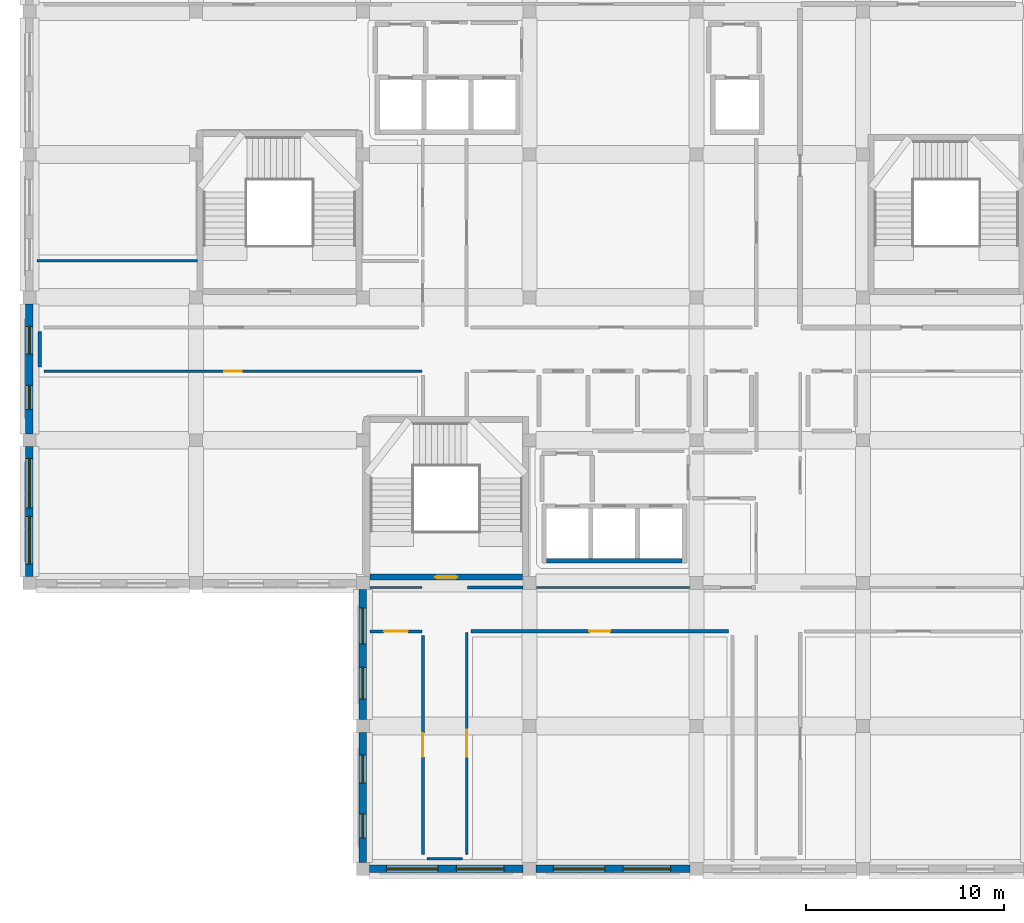
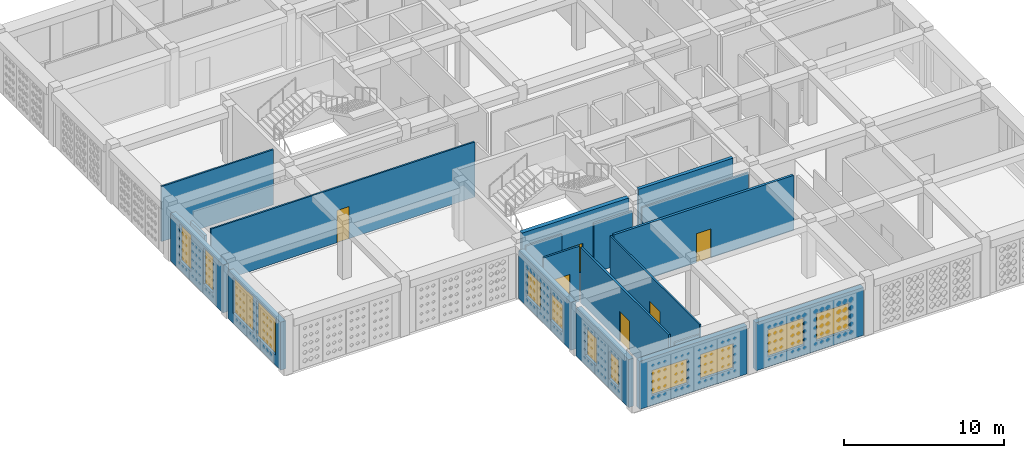
# One storey, part 4 of 47: 19 walls, 12 windows, 6 doors, 18 openings.
"""IFC4 building model written with IfcOpenShell, lengths in metres."""

from ifc_helpers import new_model, si_unit, derived_unit, direction, frame, frame_2d, origin, place, context, subcontext, project, spatial, rectangle, extrude, material, layer, layer_set, type_object, element, fill, save


model = new_model("IFC4")

# Units and contexts
model_context = context("Model", 3, precision=1e-05, world=origin(), true_north=direction((0.0, 1.0)))
body_context = subcontext(model_context, "Body", "Model", "MODEL_VIEW")
ifc_project = project(units=[si_unit("LENGTHUNIT", "METRE"), si_unit("AREAUNIT", "SQUARE_METRE"), si_unit("VOLUMEUNIT", "CUBIC_METRE"), si_unit("PLANEANGLEUNIT", "RADIAN"), si_unit("MASSUNIT", "GRAM", prefix="KILO"), derived_unit("THERMALTRANSMITTANCEUNIT", [(si_unit("POWERUNIT", "WATT"), 1), (si_unit("LENGTHUNIT", "METRE"), -2), (si_unit("THERMODYNAMICTEMPERATUREUNIT", "KELVIN"), -1)])], contexts=[model_context])

# Site, building, storey
site_placement = place(None, origin())
site = spatial("IfcSite", under=ifc_project, at=site_placement, CompositionType="ELEMENT")
building_placement = place(site_placement, origin())
building = spatial("IfcBuilding", under=site, at=building_placement, Name="Veybourne Emporium", CompositionType="ELEMENT")
storey_placement = place(building_placement, frame((0.0, 0.0, 23.39990234375)))
storey = spatial("IfcBuildingStorey", under=building, at=storey_placement, Name="L05", CompositionType="ELEMENT", Elevation=23.39990234375)

# Wall, openings, windows
ifc_material_1 = material(Name="Portland Limestone Ashlar", Category="masonry")
ifc_layer_1 = layer(ifc_material_1, 0.3798828125)
ifc_layer_set_1 = layer_set([ifc_layer_1], Name="Portland Limestone Ashlar")
wall_type_1 = type_object("IfcWallType", Name="ExtWall_EW-03", PredefinedType="SOLIDWALL", material=ifc_layer_set_1)
wall_1_placement = place(storey_placement, frame((0.0, 14.72509765625, 0.0), z_axis=(0.0, 0.0, 1.0), x_axis=(0.0, 1.0, 0.0)))
wall_1 = element("IfcWall", 1, at=wall_1_placement, inside=storey, type_object=wall_type_1, Name="L05 Portland stone external wall 002", PredefinedType="SOLIDWALL", context=body_context, shape_type="SweptSolid", body=[
    extrude(rectangle(XDim=6.5498046875, YDim=0.3798828125, at=frame_2d((3.27490234375, 0.0))), origin(), (0.0, 0.0, 1.0), 3.66015625),
])
opening_1_placement = place(wall_1_placement, frame((0.634033203125, 0.0, 0.75)))
opening_1 = element("IfcOpeningElement", 2, at=opening_1_placement, cuts=wall_1, Name="Opening W-47", PredefinedType="OPENING", context=body_context, shape_type="SweptSolid", body=[
    extrude(rectangle(XDim=2.39990234375, YDim=2.760009765625, at=frame_2d((1.199951171875, 1.3798828125))), frame((0.0, 0.2099609375, 0.0), z_axis=(0.0, -1.0, 0.0), x_axis=(1.0, 0.0, 0.0)), (0.0, 0.0, 1.0), 0.419921875),
])
opening_2_placement = place(wall_1_placement, frame((3.470947265625, 0.0, 0.75)))
opening_2 = element("IfcOpeningElement", 3, at=opening_2_placement, cuts=wall_1, Name="Opening W-48", PredefinedType="OPENING", context=body_context, shape_type="SweptSolid", body=[
    extrude(rectangle(XDim=2.489990234375, YDim=2.760009765625, at=frame_2d((1.2451171875, 1.3798828125))), frame((0.0, 0.2099609375, 0.0), z_axis=(0.0, -1.0, 0.0), x_axis=(1.0, 0.0, 0.0)), (0.0, 0.0, 1.0), 0.419921875),
])
ifc_material_2 = material(Name="Low-E Triple Glazing", Category="glass")
window_type_1 = type_object("IfcWindowType", Name="Win_W-47", PartitioningType="TRIPLE_PANEL_VERTICAL", PredefinedType="WINDOW", material=ifc_material_2)
window_1_placement = place(opening_1_placement, origin())
window_1 = element("IfcWindow", 4, at=window_1_placement, inside=storey, type_object=window_type_1, Name="L05 tripartite bronze casement window W-47 (2.1)", OverallHeight=2.760009765625, OverallWidth=2.39990234375, PartitioningType="TRIPLE_PANEL_VERTICAL", PredefinedType="WINDOW", context=body_context, shape_type="SweptSolid", body=[
    extrude(rectangle(XDim=2.39990234375, YDim=2.760009765625, at=frame_2d((1.199951171875, 1.3798828125))), frame((0.0, 0.030029296875, 0.0), z_axis=(0.0, -1.0, 0.0), x_axis=(1.0, 0.0, 0.0)), (0.0, 0.0, 1.0), 0.06005859375),
])
fill(opening_1, window_1)
window_type_2 = type_object("IfcWindowType", Name="Win_W-48", PartitioningType="TRIPLE_PANEL_VERTICAL", PredefinedType="WINDOW", material=ifc_material_2)
window_2_placement = place(opening_2_placement, origin())
window_2 = element("IfcWindow", 5, at=window_2_placement, inside=storey, type_object=window_type_2, Name="L05 tripartite bronze casement window W-48 (2.2)", OverallHeight=2.760009765625, OverallWidth=2.489990234375, PartitioningType="TRIPLE_PANEL_VERTICAL", PredefinedType="WINDOW", context=body_context, shape_type="SweptSolid", body=[
    extrude(rectangle(XDim=2.489990234375, YDim=2.760009765625, at=frame_2d((1.2451171875, 1.3798828125))), frame((0.0, 0.030029296875, 0.0), z_axis=(0.0, -1.0, 0.0), x_axis=(1.0, 0.0, 0.0)), (0.0, 0.0, 1.0), 0.06005859375),
])
fill(opening_2, window_2)

wall_2_placement = place(storey_placement, frame((0.0, 21.925048828125, 0.0), z_axis=(0.0, 0.0, 1.0), x_axis=(0.0, 1.0, 0.0)))
wall_2 = element("IfcWall", 6, at=wall_2_placement, inside=storey, type_object=wall_type_1, Name="L05 Portland stone external wall 003", PredefinedType="SOLIDWALL", context=body_context, shape_type="SweptSolid", body=[
    extrude(rectangle(XDim=6.550048828125, YDim=0.3798828125, at=frame_2d((3.27490234375, 0.0))), origin(), (0.0, 0.0, 1.0), 3.66015625),
])
opening_3_placement = place(wall_2_placement, frame((1.23388671875, 0.0, 0.75)))
opening_3 = element("IfcOpeningElement", 7, at=opening_3_placement, cuts=wall_2, Name="Opening W-49", PredefinedType="OPENING", context=body_context, shape_type="SweptSolid", body=[
    extrude(rectangle(XDim=1.199951171875, YDim=2.760009765625, at=frame_2d((0.60009765625, 1.3798828125))), frame((0.0, 0.2099609375, 0.0), z_axis=(0.0, -1.0, 0.0), x_axis=(1.0, 0.0, 0.0)), (0.0, 0.0, 1.0), 0.419921875),
])
opening_4_placement = place(wall_2_placement, frame((4.01611328125, 0.0, 0.75)))
opening_4 = element("IfcOpeningElement", 8, at=opening_4_placement, cuts=wall_2, Name="Opening W-50", PredefinedType="OPENING", context=body_context, shape_type="SweptSolid", body=[
    extrude(rectangle(XDim=1.39990234375, YDim=2.760009765625, at=frame_2d((0.699951171875, 1.3798828125))), frame((0.0, 0.2099609375, 0.0), z_axis=(0.0, -1.0, 0.0), x_axis=(1.0, 0.0, 0.0)), (0.0, 0.0, 1.0), 0.419921875),
])
window_type_3 = type_object("IfcWindowType", Name="Win_W-49", PartitioningType="SINGLE_PANEL", PredefinedType="WINDOW", material=ifc_material_2)
window_3_placement = place(opening_3_placement, origin())
window_3 = element("IfcWindow", 9, at=window_3_placement, inside=storey, type_object=window_type_3, Name="L05 tripartite bronze casement window W-49 (3.1)", OverallHeight=2.760009765625, OverallWidth=1.199951171875, PartitioningType="SINGLE_PANEL", PredefinedType="WINDOW", context=body_context, shape_type="SweptSolid", body=[
    extrude(rectangle(XDim=1.199951171875, YDim=2.760009765625, at=frame_2d((0.60009765625, 1.3798828125))), frame((0.0, 0.030029296875, 0.0), z_axis=(0.0, -1.0, 0.0), x_axis=(1.0, 0.0, 0.0)), (0.0, 0.0, 1.0), 0.06005859375),
])
fill(opening_3, window_3)
window_type_4 = type_object("IfcWindowType", Name="Win_W-50", PartitioningType="DOUBLE_PANEL_VERTICAL", PredefinedType="WINDOW", material=ifc_material_2)
window_4_placement = place(opening_4_placement, origin())
window_4 = element("IfcWindow", 10, at=window_4_placement, inside=storey, type_object=window_type_4, Name="L05 tripartite bronze casement window W-50 (3.2)", OverallHeight=2.760009765625, OverallWidth=1.39990234375, PartitioningType="DOUBLE_PANEL_VERTICAL", PredefinedType="WINDOW", context=body_context, shape_type="SweptSolid", body=[
    extrude(rectangle(XDim=1.39990234375, YDim=2.760009765625, at=frame_2d((0.699951171875, 1.3798828125))), frame((0.0, 0.030029296875, 0.0), z_axis=(0.0, -1.0, 0.0), x_axis=(1.0, 0.0, 0.0)), (0.0, 0.0, 1.0), 0.06005859375),
])
fill(opening_4, window_4)

wall_3_placement = place(storey_placement, frame((24.875, 0.0, 0.0), z_axis=(0.0, 0.0, 1.0), x_axis=(-1.0, 0.0, 0.0)))
wall_3 = element("IfcWall", 11, at=wall_3_placement, inside=storey, type_object=wall_type_1, Name="L05 Portland stone external wall 010", PredefinedType="SOLIDWALL", context=body_context, shape_type="SweptSolid", body=[
    extrude(rectangle(XDim=7.75, YDim=0.3798828125, at=frame_2d((3.875, 0.0))), origin(), (0.0, 0.0, 1.0), 3.66015625),
])
opening_5_placement = place(wall_3_placement, frame((0.969970703125, 0.0, 0.75)))
opening_5 = element("IfcOpeningElement", 12, at=opening_5_placement, cuts=wall_3, Name="Opening W-07", PredefinedType="OPENING", context=body_context, shape_type="SweptSolid", body=[
    extrude(rectangle(XDim=2.39990234375, YDim=1.89990234375, at=frame_2d((1.199951171875, 0.949951171875))), frame((0.0, 0.2099609375, 0.0), z_axis=(0.0, -1.0, 0.0), x_axis=(1.0, 0.0, 0.0)), (0.0, 0.0, 1.0), 0.419921875),
])
opening_6_placement = place(wall_3_placement, frame((4.280029296875, 0.0, 0.75)))
opening_6 = element("IfcOpeningElement", 13, at=opening_6_placement, cuts=wall_3, Name="Opening W-08", PredefinedType="OPENING", context=body_context, shape_type="SweptSolid", body=[
    extrude(rectangle(XDim=2.60009765625, YDim=1.89990234375, at=frame_2d((1.300048828125, 0.949951171875))), frame((0.0, 0.2099609375, 0.0), z_axis=(0.0, -1.0, 0.0), x_axis=(1.0, 0.0, 0.0)), (0.0, 0.0, 1.0), 0.419921875),
])
window_type_5 = type_object("IfcWindowType", Name="Win_W-07", PartitioningType="TRIPLE_PANEL_VERTICAL", PredefinedType="WINDOW", material=ifc_material_2)
window_5_placement = place(opening_5_placement, origin())
window_5 = element("IfcWindow", 14, at=window_5_placement, inside=storey, type_object=window_type_5, Name="L05 tripartite bronze casement window W-07 (10.1)", OverallHeight=1.89990234375, OverallWidth=2.39990234375, PartitioningType="TRIPLE_PANEL_VERTICAL", PredefinedType="WINDOW", context=body_context, shape_type="SweptSolid", body=[
    extrude(rectangle(XDim=2.39990234375, YDim=1.89990234375, at=frame_2d((1.199951171875, 0.949951171875))), frame((0.0, 0.030029296875, 0.0), z_axis=(0.0, -1.0, 0.0), x_axis=(1.0, 0.0, 0.0)), (0.0, 0.0, 1.0), 0.06005859375),
])
fill(opening_5, window_5)
window_type_6 = type_object("IfcWindowType", Name="Win_W-08", PartitioningType="TRIPLE_PANEL_VERTICAL", PredefinedType="WINDOW", material=ifc_material_2)
window_6_placement = place(opening_6_placement, origin())
window_6 = element("IfcWindow", 15, at=window_6_placement, inside=storey, type_object=window_type_6, Name="L05 tripartite bronze casement window W-08 (10.2)", OverallHeight=1.89990234375, OverallWidth=2.60009765625, PartitioningType="TRIPLE_PANEL_VERTICAL", PredefinedType="WINDOW", context=body_context, shape_type="SweptSolid", body=[
    extrude(rectangle(XDim=2.60009765625, YDim=1.89990234375, at=frame_2d((1.300048828125, 0.949951171875))), frame((0.0, 0.030029296875, 0.0), z_axis=(0.0, -1.0, 0.0), x_axis=(1.0, 0.0, 0.0)), (0.0, 0.0, 1.0), 0.06005859375),
])
fill(opening_6, window_6)

wall_4_placement = place(storey_placement, frame((16.800048828125, 0.324951171875, 0.0), z_axis=(0.0, 0.0, 1.0), x_axis=(0.0, 1.0, 0.0)))
wall_4 = element("IfcWall", 16, at=wall_4_placement, inside=storey, type_object=wall_type_1, Name="L05 Portland stone external wall 011", PredefinedType="SOLIDWALL", context=body_context, shape_type="SweptSolid", body=[
    extrude(rectangle(XDim=6.550048828125, YDim=0.3798828125, at=frame_2d((3.27490234375, 0.0))), origin(), (0.0, 0.0, 1.0), 3.66015625),
])
opening_7_placement = place(wall_4_placement, frame((1.23388671875, 0.0, 0.75)))
opening_7 = element("IfcOpeningElement", 17, at=opening_7_placement, cuts=wall_4, Name="Opening W-09", PredefinedType="OPENING", context=body_context, shape_type="SweptSolid", body=[
    extrude(rectangle(XDim=1.199951171875, YDim=2.080078125, at=frame_2d((0.60009765625, 1.0400390625))), frame((0.0, 0.2099609375, 0.0), z_axis=(0.0, -1.0, 0.0), x_axis=(1.0, 0.0, 0.0)), (0.0, 0.0, 1.0), 0.419921875),
])
opening_8_placement = place(wall_4_placement, frame((4.01611328125, 0.0, 0.75)))
opening_8 = element("IfcOpeningElement", 18, at=opening_8_placement, cuts=wall_4, Name="Opening W-10", PredefinedType="OPENING", context=body_context, shape_type="SweptSolid", body=[
    extrude(rectangle(XDim=1.39990234375, YDim=2.080078125, at=frame_2d((0.699951171875, 1.0400390625))), frame((0.0, 0.2099609375, 0.0), z_axis=(0.0, -1.0, 0.0), x_axis=(1.0, 0.0, 0.0)), (0.0, 0.0, 1.0), 0.419921875),
])
window_type_7 = type_object("IfcWindowType", Name="Win_W-09", PartitioningType="SINGLE_PANEL", PredefinedType="WINDOW", material=ifc_material_2)
window_7_placement = place(opening_7_placement, origin())
window_7 = element("IfcWindow", 19, at=window_7_placement, inside=storey, type_object=window_type_7, Name="L05 tripartite bronze casement window W-09 (11.1)", OverallHeight=2.080078125, OverallWidth=1.199951171875, PartitioningType="SINGLE_PANEL", PredefinedType="WINDOW", context=body_context, shape_type="SweptSolid", body=[
    extrude(rectangle(XDim=1.199951171875, YDim=2.080078125, at=frame_2d((0.60009765625, 1.0400390625))), frame((0.0, 0.030029296875, 0.0), z_axis=(0.0, -1.0, 0.0), x_axis=(1.0, 0.0, 0.0)), (0.0, 0.0, 1.0), 0.06005859375),
])
fill(opening_7, window_7)
window_type_8 = type_object("IfcWindowType", Name="Win_W-10", PartitioningType="DOUBLE_PANEL_VERTICAL", PredefinedType="WINDOW", material=ifc_material_2)
window_8_placement = place(opening_8_placement, origin())
window_8 = element("IfcWindow", 20, at=window_8_placement, inside=storey, type_object=window_type_8, Name="L05 tripartite bronze casement window W-10 (11.2)", OverallHeight=2.080078125, OverallWidth=1.39990234375, PartitioningType="DOUBLE_PANEL_VERTICAL", PredefinedType="WINDOW", context=body_context, shape_type="SweptSolid", body=[
    extrude(rectangle(XDim=1.39990234375, YDim=2.080078125, at=frame_2d((0.699951171875, 1.0400390625))), frame((0.0, 0.030029296875, 0.0), z_axis=(0.0, -1.0, 0.0), x_axis=(1.0, 0.0, 0.0)), (0.0, 0.0, 1.0), 0.06005859375),
])
fill(opening_8, window_8)

wall_5_placement = place(storey_placement, frame((16.800048828125, 7.52490234375, 0.0), z_axis=(0.0, 0.0, 1.0), x_axis=(0.0, 1.0, 0.0)))
wall_5 = element("IfcWall", 21, at=wall_5_placement, inside=storey, type_object=wall_type_1, Name="L05 Portland stone external wall 012", PredefinedType="SOLIDWALL", context=body_context, shape_type="SweptSolid", body=[
    extrude(rectangle(XDim=6.550048828125, YDim=0.3798828125, at=frame_2d((3.27490234375, 0.0))), origin(), (0.0, 0.0, 1.0), 3.66015625),
])
opening_9_placement = place(wall_5_placement, frame((1.033935546875, 0.0, 0.75)))
opening_9 = element("IfcOpeningElement", 22, at=opening_9_placement, cuts=wall_5, Name="Opening W-11", PredefinedType="OPENING", context=body_context, shape_type="SweptSolid", body=[
    extrude(rectangle(XDim=1.60009765625, YDim=2.080078125, at=frame_2d((0.800048828125, 1.0400390625))), frame((0.0, 0.2099609375, 0.0), z_axis=(0.0, -1.0, 0.0), x_axis=(1.0, 0.0, 0.0)), (0.0, 0.0, 1.0), 0.419921875),
])
opening_10_placement = place(wall_5_placement, frame((3.81591796875, 0.0, 0.75)))
opening_10 = element("IfcOpeningElement", 23, at=opening_10_placement, cuts=wall_5, Name="Opening W-12", PredefinedType="OPENING", context=body_context, shape_type="SweptSolid", body=[
    extrude(rectangle(XDim=1.800048828125, YDim=2.080078125, at=frame_2d((0.89990234375, 1.0400390625))), frame((0.0, 0.2099609375, 0.0), z_axis=(0.0, -1.0, 0.0), x_axis=(1.0, 0.0, 0.0)), (0.0, 0.0, 1.0), 0.419921875),
])
window_type_9 = type_object("IfcWindowType", Name="Win_W-11", PartitioningType="DOUBLE_PANEL_VERTICAL", PredefinedType="WINDOW", material=ifc_material_2)
window_9_placement = place(opening_9_placement, origin())
window_9 = element("IfcWindow", 24, at=window_9_placement, inside=storey, type_object=window_type_9, Name="L05 tripartite bronze casement window W-11 (12.1)", OverallHeight=2.080078125, OverallWidth=1.60009765625, PartitioningType="DOUBLE_PANEL_VERTICAL", PredefinedType="WINDOW", context=body_context, shape_type="SweptSolid", body=[
    extrude(rectangle(XDim=1.60009765625, YDim=2.080078125, at=frame_2d((0.800048828125, 1.0400390625))), frame((0.0, 0.030029296875, 0.0), z_axis=(0.0, -1.0, 0.0), x_axis=(1.0, 0.0, 0.0)), (0.0, 0.0, 1.0), 0.06005859375),
])
fill(opening_9, window_9)
window_type_10 = type_object("IfcWindowType", Name="Win_W-12", PartitioningType="DOUBLE_PANEL_VERTICAL", PredefinedType="WINDOW", material=ifc_material_2)
window_10_placement = place(opening_10_placement, origin())
window_10 = element("IfcWindow", 25, at=window_10_placement, inside=storey, type_object=window_type_10, Name="L05 tripartite bronze casement window W-12 (12.2)", OverallHeight=2.080078125, OverallWidth=1.800048828125, PartitioningType="DOUBLE_PANEL_VERTICAL", PredefinedType="WINDOW", context=body_context, shape_type="SweptSolid", body=[
    extrude(rectangle(XDim=1.800048828125, YDim=2.080078125, at=frame_2d((0.89990234375, 1.0400390625))), frame((0.0, 0.030029296875, 0.0), z_axis=(0.0, -1.0, 0.0), x_axis=(1.0, 0.0, 0.0)), (0.0, 0.0, 1.0), 0.06005859375),
])
fill(opening_10, window_10)

wall_6_placement = place(storey_placement, frame((33.27490234375, 0.0, 0.0), z_axis=(0.0, 0.0, 1.0), x_axis=(-1.0, 0.0, 0.0)))
wall_6 = element("IfcWall", 26, at=wall_6_placement, inside=storey, type_object=wall_type_1, Name="L05 Portland stone external wall 014", PredefinedType="SOLIDWALL", context=body_context, shape_type="SweptSolid", body=[
    extrude(rectangle(XDim=7.75, YDim=0.3798828125, at=frame_2d((3.875, 0.0))), origin(), (0.0, 0.0, 1.0), 3.66015625),
])
opening_11_placement = place(wall_6_placement, frame((0.969970703125, 0.0, 0.75)))
opening_11 = element("IfcOpeningElement", 27, at=opening_11_placement, cuts=wall_6, Name="Opening W-15", PredefinedType="OPENING", context=body_context, shape_type="SweptSolid", body=[
    extrude(rectangle(XDim=2.39990234375, YDim=2.080078125, at=frame_2d((1.199951171875, 1.0400390625))), frame((0.0, 0.2099609375, 0.0), z_axis=(0.0, -1.0, 0.0), x_axis=(1.0, 0.0, 0.0)), (0.0, 0.0, 1.0), 0.419921875),
])
opening_12_placement = place(wall_6_placement, frame((4.280029296875, 0.0, 0.75)))
opening_12 = element("IfcOpeningElement", 28, at=opening_12_placement, cuts=wall_6, Name="Opening W-16", PredefinedType="OPENING", context=body_context, shape_type="SweptSolid", body=[
    extrude(rectangle(XDim=2.60009765625, YDim=2.080078125, at=frame_2d((1.300048828125, 1.0400390625))), frame((0.0, 0.2099609375, 0.0), z_axis=(0.0, -1.0, 0.0), x_axis=(1.0, 0.0, 0.0)), (0.0, 0.0, 1.0), 0.419921875),
])
window_type_11 = type_object("IfcWindowType", Name="Win_W-15", PartitioningType="TRIPLE_PANEL_VERTICAL", PredefinedType="WINDOW", material=ifc_material_2)
window_11_placement = place(opening_11_placement, origin())
window_11 = element("IfcWindow", 29, at=window_11_placement, inside=storey, type_object=window_type_11, Name="L05 tripartite bronze casement window W-15 (14.1)", OverallHeight=2.080078125, OverallWidth=2.39990234375, PartitioningType="TRIPLE_PANEL_VERTICAL", PredefinedType="WINDOW", context=body_context, shape_type="SweptSolid", body=[
    extrude(rectangle(XDim=2.39990234375, YDim=2.080078125, at=frame_2d((1.199951171875, 1.0400390625))), frame((0.0, 0.030029296875, 0.0), z_axis=(0.0, -1.0, 0.0), x_axis=(1.0, 0.0, 0.0)), (0.0, 0.0, 1.0), 0.06005859375),
])
fill(opening_11, window_11)
window_type_12 = type_object("IfcWindowType", Name="Win_W-16", PartitioningType="TRIPLE_PANEL_VERTICAL", PredefinedType="WINDOW", material=ifc_material_2)
window_12_placement = place(opening_12_placement, origin())
window_12 = element("IfcWindow", 30, at=window_12_placement, inside=storey, type_object=window_type_12, Name="L05 tripartite bronze casement window W-16 (14.2)", OverallHeight=2.080078125, OverallWidth=2.60009765625, PartitioningType="TRIPLE_PANEL_VERTICAL", PredefinedType="WINDOW", context=body_context, shape_type="SweptSolid", body=[
    extrude(rectangle(XDim=2.60009765625, YDim=2.080078125, at=frame_2d((1.300048828125, 1.0400390625))), frame((0.0, 0.030029296875, 0.0), z_axis=(0.0, -1.0, 0.0), x_axis=(1.0, 0.0, 0.0)), (0.0, 0.0, 1.0), 0.06005859375),
])
fill(opening_12, window_12)

# Wall, opening, door
ifc_material_3 = material(Name="Concrete C40/50", Category="concrete")
ifc_layer_2 = layer(ifc_material_3, 0.300048828125)
ifc_layer_set_2 = layer_set([ifc_layer_2], Name="Concrete C40/50")
wall_type_2 = type_object("IfcWallType", Name="IntWall_CW-03", PredefinedType="SHEAR", material=ifc_layer_set_2)
wall_7_placement = place(storey_placement, frame((24.85009765625, 14.699951171875, 0.0), z_axis=(0.0, 0.0, 1.0), x_axis=(-1.0, 0.0, 0.0)))
wall_7 = element("IfcWall", 31, at=wall_7_placement, inside=storey, type_object=wall_type_2, Name="Core stair ST-01 south shear wall (L05)", PredefinedType="SHEAR", context=body_context, shape_type="SweptSolid", body=[
    extrude(rectangle(XDim=7.7001953125, YDim=0.300048828125, at=frame_2d((3.85009765625, 0.0))), origin(), (0.0, 0.0, 1.0), 4.5),
])
opening_13_placement = place(wall_7_placement, frame((3.300048828125, 0.0, 0.0)))
opening_13 = element("IfcOpeningElement", 32, at=opening_13_placement, cuts=wall_7, Name="Opening FD-01", PredefinedType="OPENING", context=body_context, shape_type="SweptSolid", body=[
    extrude(rectangle(XDim=1.10009765625, YDim=2.199951171875, at=frame_2d((0.550048828125, 1.10009765625))), frame((0.0, 0.169921875, 0.0), z_axis=(0.0, -1.0, 0.0), x_axis=(1.0, 0.0, 0.0)), (0.0, 0.0, 1.0), 0.340087890625),
])
ifc_material_4 = material(Name="Patinated Architectural Bronze", Category="bronze")
door_type_1 = type_object("IfcDoorType", Name="FireDoor_FD-01", OperationType="NOTDEFINED", PredefinedType="DOOR", material=ifc_material_4)
door_1_placement = place(opening_13_placement, origin())
door_1 = element("IfcDoor", 33, at=door_1_placement, inside=storey, type_object=door_type_1, Name="Stair ST-01 fire door (L05)", OperationType="SINGLE_SWING_RIGHT", OverallHeight=2.199951171875, OverallWidth=1.10009765625, PredefinedType="DOOR", context=body_context, shape_type="SweptSolid", body=[
    extrude(rectangle(XDim=1.10009765625, YDim=2.199951171875, at=frame_2d((0.550048828125, 1.10009765625))), frame((0.0, 0.02490234375, 0.0), z_axis=(0.0, -1.0, 0.0), x_axis=(1.0, 0.0, 0.0)), (0.0, 0.0, 1.0), 0.050048828125),
])
fill(opening_13, door_1)

# Wall
ifc_layer_3 = layer(ifc_material_3, 0.239990234375)
ifc_layer_set_3 = layer_set([ifc_layer_3], Name="Concrete C40/50")
wall_type_3 = type_object("IfcWallType", Name="IntWall_CW-04", PredefinedType="SHEAR", material=ifc_layer_set_3)
wall_8_placement = place(storey_placement, frame((26.06005859375, 15.530029296875, 0.0), z_axis=(0.0, 0.0, 1.0), x_axis=(1.0, 0.0, 0.0)))
element("IfcWall", 34, at=wall_8_placement, inside=storey, type_object=wall_type_3, Name="Lift core C1 south shaft wall (L05)", PredefinedType="SHEAR", context=body_context, shape_type="SweptSolid", body=[
    extrude(rectangle(XDim=6.81982421875, YDim=0.239990234375, at=frame_2d((3.409912109375, 0.0))), origin(), (0.0, 0.0, 1.0), 4.210205078125),
])

# Wall, opening, door
ifc_material_5 = material(Name="Gypsum Acoustic Board", Category="gypsum")
ifc_layer_4 = layer(ifc_material_5, 0.179931640625)
ifc_layer_set_4 = layer_set([ifc_layer_4], Name="Gypsum Acoustic Board")
wall_type_4 = type_object("IfcWallType", Name="IntWall_IW-01", PredefinedType="PARTITIONING", material=ifc_layer_set_4)
wall_9_placement = place(storey_placement, frame((22.239990234375, 11.969970703125, 0.0), z_axis=(0.0, 0.0, 1.0), x_axis=(1.0, 0.0, 0.0)))
wall_9 = element("IfcWall", 35, at=wall_9_placement, inside=storey, type_object=wall_type_4, Name="L05 interior partition IW-01 #024", PredefinedType="PARTITIONING", context=body_context, shape_type="SweptSolid", body=[
    extrude(rectangle(XDim=12.97998046875, YDim=0.179931640625, at=frame_2d((6.489990234375, 0.0))), origin(), (0.0, 0.0, 1.0), 4.210205078125),
])
opening_14_placement = place(wall_9_placement, frame((5.969970703125, 0.0, 0.0)))
opening_14 = element("IfcOpeningElement", 36, at=opening_14_placement, cuts=wall_9, Name="Opening D-14", PredefinedType="OPENING", context=body_context, shape_type="SweptSolid", body=[
    extrude(rectangle(XDim=1.0400390625, YDim=2.2099609375, at=frame_2d((0.52001953125, 1.10498046875))), frame((0.0, 0.10986328125, 0.0), z_axis=(0.0, -1.0, 0.0), x_axis=(1.0, 0.0, 0.0)), (0.0, 0.0, 1.0), 0.219970703125),
])
ifc_material_6 = material(Name="European Oak Veneer and Bronze", Category="wood")
door_type_2 = type_object("IfcDoorType", Name="IntDoor_D-14", OperationType="NOTDEFINED", PredefinedType="DOOR", material=ifc_material_6)
door_2_placement = place(opening_14_placement, origin())
door_2 = element("IfcDoor", 37, at=door_2_placement, inside=storey, type_object=door_type_2, Name="L05 interior door D-14 (PART-L05-024)", OperationType="SINGLE_SWING_RIGHT", OverallHeight=2.2099609375, OverallWidth=1.0400390625, PredefinedType="DOOR", context=body_context, shape_type="SweptSolid", body=[
    extrude(rectangle(XDim=1.0400390625, YDim=2.2099609375, at=frame_2d((0.52001953125, 1.10498046875))), frame((0.0, 0.02490234375, 0.0), z_axis=(0.0, -1.0, 0.0), x_axis=(1.0, 0.0, 0.0)), (0.0, 0.0, 1.0), 0.050048828125),
])
fill(opening_14, door_2)

# Walls
wall_10_placement = place(storey_placement, frame((0.52001953125, 25.280029296875, 0.0), z_axis=(0.0, 0.0, 1.0), x_axis=(0.0, 1.0, 0.0)))
element("IfcWall", 38, at=wall_10_placement, inside=storey, type_object=wall_type_4, Name="L05 interior partition IW-01 #093", PredefinedType="PARTITIONING", context=body_context, shape_type="SweptSolid", body=[
    extrude(rectangle(XDim=1.7900390625, YDim=0.179931640625, at=frame_2d((0.89501953125, 0.0))), origin(), (0.0, 0.0, 1.0), 3.66015625),
])
ifc_layer_5 = layer(ifc_material_5, 0.14990234375)
ifc_layer_set_5 = layer_set([ifc_layer_5], Name="Gypsum Acoustic Board")
wall_type_5 = type_object("IfcWallType", Name="IntWall_IW-02", PredefinedType="PARTITIONING", material=ifc_layer_set_5)
wall_11_placement = place(storey_placement, frame((22.080078125, 14.179931640625, 0.0), z_axis=(0.0, 0.0, 1.0), x_axis=(1.0, 0.0, 0.0)))
element("IfcWall", 39, at=wall_11_placement, inside=storey, type_object=wall_type_5, Name="L05 interior partition IW-02 #013", PredefinedType="PARTITIONING", context=body_context, shape_type="SweptSolid", body=[
    extrude(rectangle(XDim=2.77490234375, YDim=0.14990234375, at=frame_2d((1.387451171875, 0.0))), origin(), (0.0, 0.0, 1.0), 3.760009765625),
])

# Wall, opening, door
wall_12_placement = place(storey_placement, frame((19.820068359375, 0.72998046875, 0.0), z_axis=(0.0, 0.0, 1.0), x_axis=(0.0, 1.0, 0.0)))
wall_12 = element("IfcWall", 40, at=wall_12_placement, inside=storey, type_object=wall_type_5, Name="L05 interior partition IW-02 #031", PredefinedType="PARTITIONING", context=body_context, shape_type="SweptSolid", body=[
    extrude(rectangle(XDim=11.030029296875, YDim=0.14990234375, at=frame_2d((5.51513671875, 0.0))), origin(), (0.0, 0.0, 1.0), 4.210205078125),
])
opening_15_placement = place(wall_12_placement, frame((4.9150390625, 0.0, 0.0)))
opening_15 = element("IfcOpeningElement", 41, at=opening_15_placement, cuts=wall_12, Name="Opening D-21", PredefinedType="OPENING", context=body_context, shape_type="SweptSolid", body=[
    extrude(rectangle(XDim=1.199951171875, YDim=2.2900390625, at=frame_2d((0.60009765625, 1.14501953125))), frame((0.0, 0.094970703125, 0.0), z_axis=(0.0, -1.0, 0.0), x_axis=(1.0, 0.0, 0.0)), (0.0, 0.0, 1.0), 0.18994140625),
])
door_type_3 = type_object("IfcDoorType", Name="IntDoor_D-21", OperationType="NOTDEFINED", PredefinedType="DOOR", material=ifc_material_6)
door_3_placement = place(opening_15_placement, origin())
door_3 = element("IfcDoor", 42, at=door_3_placement, inside=storey, type_object=door_type_3, Name="L05 interior door D-21 (PART-L05-031)", OperationType="SINGLE_SWING_RIGHT", OverallHeight=2.2900390625, OverallWidth=1.199951171875, PredefinedType="DOOR", context=body_context, shape_type="SweptSolid", body=[
    extrude(rectangle(XDim=1.199951171875, YDim=2.2900390625, at=frame_2d((0.60009765625, 1.14501953125))), frame((0.0, 0.02490234375, 0.0), z_axis=(0.0, -1.0, 0.0), x_axis=(1.0, 0.0, 0.0)), (0.0, 0.0, 1.0), 0.050048828125),
])
fill(opening_15, door_3)

wall_13_placement = place(storey_placement, frame((17.169921875, 11.969970703125, 0.0), z_axis=(0.0, 0.0, 1.0), x_axis=(1.0, 0.0, 0.0)))
wall_13 = element("IfcWall", 43, at=wall_13_placement, inside=storey, type_object=wall_type_5, Name="L05 interior partition IW-02 #067", PredefinedType="PARTITIONING", context=body_context, shape_type="SweptSolid", body=[
    extrude(rectangle(XDim=2.60009765625, YDim=0.14990234375, at=frame_2d((1.300048828125, 0.0))), origin(), (0.0, 0.0, 1.0), 4.210205078125),
])
opening_16_placement = place(wall_13_placement, frame((0.699951171875, 0.0, 0.0)))
opening_16 = element("IfcOpeningElement", 44, at=opening_16_placement, cuts=wall_13, Name="Opening D-21", PredefinedType="OPENING", context=body_context, shape_type="SweptSolid", body=[
    extrude(rectangle(XDim=1.199951171875, YDim=2.2900390625, at=frame_2d((0.60009765625, 1.14501953125))), frame((0.0, 0.094970703125, 0.0), z_axis=(0.0, -1.0, 0.0), x_axis=(1.0, 0.0, 0.0)), (0.0, 0.0, 1.0), 0.18994140625),
])
door_4_placement = place(opening_16_placement, origin())
door_4 = element("IfcDoor", 45, at=door_4_placement, inside=storey, type_object=door_type_3, Name="L05 interior door D-21 (PART-L05-067)", OperationType="SINGLE_SWING_LEFT", OverallHeight=2.2900390625, OverallWidth=1.199951171875, PredefinedType="DOOR", context=body_context, shape_type="SweptSolid", body=[
    extrude(rectangle(XDim=1.199951171875, YDim=2.2900390625, at=frame_2d((0.60009765625, 1.14501953125))), frame((0.0, 0.02490234375, 0.0), z_axis=(0.0, -1.0, 0.0), x_axis=(1.0, 0.0, 0.0)), (0.0, 0.0, 1.0), 0.050048828125),
])
fill(opening_16, door_4)

ifc_layer_6 = layer(ifc_material_5, 0.1201171875)
ifc_layer_set_6 = layer_set([ifc_layer_6], Name="Gypsum Acoustic Board")
wall_type_6 = type_object("IfcWallType", Name="IntWall_IW-03", PredefinedType="PARTITIONING", material=ifc_layer_set_6)
wall_14_placement = place(storey_placement, frame((0.72998046875, 25.070068359375, 0.0), z_axis=(0.0, 0.0, 1.0), x_axis=(1.0, 0.0, 0.0)))
wall_14 = element("IfcWall", 46, at=wall_14_placement, inside=storey, type_object=wall_type_6, Name="L05 interior partition IW-03 #005", PredefinedType="PARTITIONING", context=body_context, shape_type="SweptSolid", body=[
    extrude(rectangle(XDim=19.0400390625, YDim=0.1201171875, at=frame_2d((9.52001953125, 0.0))), origin(), (0.0, 0.0, 1.0), 4.210205078125),
])
opening_17_placement = place(wall_14_placement, frame((9.080078125, 0.0, 0.0)))
opening_17 = element("IfcOpeningElement", 47, at=opening_17_placement, cuts=wall_14, Name="Opening D-31", PredefinedType="OPENING", context=body_context, shape_type="SweptSolid", body=[
    extrude(rectangle(XDim=0.8798828125, YDim=2.449951171875, at=frame_2d((0.43994140625, 1.22509765625))), frame((0.0, 0.080078125, 0.0), z_axis=(0.0, -1.0, 0.0), x_axis=(1.0, 0.0, 0.0)), (0.0, 0.0, 1.0), 0.16015625),
])
door_type_4 = type_object("IfcDoorType", Name="IntDoor_D-31", OperationType="NOTDEFINED", PredefinedType="DOOR", material=ifc_material_6)
door_5_placement = place(opening_17_placement, origin())
door_5 = element("IfcDoor", 48, at=door_5_placement, inside=storey, type_object=door_type_4, Name="L05 interior door D-31 (PART-L05-005)", OperationType="SINGLE_SWING_RIGHT", OverallHeight=2.449951171875, OverallWidth=0.8798828125, PredefinedType="DOOR", context=body_context, shape_type="SweptSolid", body=[
    extrude(rectangle(XDim=0.8798828125, YDim=2.449951171875, at=frame_2d((0.43994140625, 1.22509765625))), frame((0.0, 0.02490234375, 0.0), z_axis=(0.0, -1.0, 0.0), x_axis=(1.0, 0.0, 0.0)), (0.0, 0.0, 1.0), 0.050048828125),
])
fill(opening_17, door_5)

# Wall
wall_15_placement = place(storey_placement, frame((25.544921875, 14.179931640625, 0.0), z_axis=(0.0, 0.0, 1.0), x_axis=(1.0, 0.0, 0.0)))
element("IfcWall", 49, at=wall_15_placement, inside=storey, type_object=wall_type_6, Name="L05 interior partition IW-03 #014", PredefinedType="PARTITIONING", context=body_context, shape_type="SweptSolid", body=[
    extrude(rectangle(XDim=7.7099609375, YDim=0.1201171875, at=frame_2d((3.85498046875, 0.0))), origin(), (0.0, 0.0, 1.0), 3.760009765625),
])

# Wall, opening, door
wall_16_placement = place(storey_placement, frame((22.030029296875, 0.72998046875, 0.0), z_axis=(0.0, 0.0, 1.0), x_axis=(0.0, 1.0, 0.0)))
wall_16 = element("IfcWall", 50, at=wall_16_placement, inside=storey, type_object=wall_type_6, Name="L05 interior partition IW-03 #026", PredefinedType="PARTITIONING", context=body_context, shape_type="SweptSolid", body=[
    extrude(rectangle(XDim=11.18994140625, YDim=0.1201171875, at=frame_2d((5.594970703125, 0.0))), origin(), (0.0, 0.0, 1.0), 4.210205078125),
])
opening_18_placement = place(wall_16_placement, frame((4.9150390625, 0.0, 0.0)))
opening_18 = element("IfcOpeningElement", 51, at=opening_18_placement, cuts=wall_16, Name="Opening D-16", PredefinedType="OPENING", context=body_context, shape_type="SweptSolid", body=[
    extrude(rectangle(XDim=1.360107421875, YDim=2.2099609375, at=frame_2d((0.68017578125, 1.10498046875))), frame((0.0, 0.080078125, 0.0), z_axis=(0.0, -1.0, 0.0), x_axis=(1.0, 0.0, 0.0)), (0.0, 0.0, 1.0), 0.16015625),
])
door_type_5 = type_object("IfcDoorType", Name="IntDoor_D-16", OperationType="NOTDEFINED", PredefinedType="DOOR", material=ifc_material_6)
door_6_placement = place(opening_18_placement, origin())
door_6 = element("IfcDoor", 52, at=door_6_placement, inside=storey, type_object=door_type_5, Name="L05 interior door D-16 (PART-L05-026)", OperationType="SINGLE_SWING_RIGHT", OverallHeight=2.2099609375, OverallWidth=1.360107421875, PredefinedType="DOOR", context=body_context, shape_type="SweptSolid", body=[
    extrude(rectangle(XDim=1.360107421875, YDim=2.2099609375, at=frame_2d((0.68017578125, 1.10498046875))), frame((0.0, 0.02490234375, 0.0), z_axis=(0.0, -1.0, 0.0), x_axis=(1.0, 0.0, 0.0)), (0.0, 0.0, 1.0), 0.050048828125),
])
fill(opening_18, door_6)

# Walls
wall_17_placement = place(storey_placement, frame((17.169921875, 14.179931640625, 0.0), z_axis=(0.0, 0.0, 1.0), x_axis=(1.0, 0.0, 0.0)))
element("IfcWall", 53, at=wall_17_placement, inside=storey, type_object=wall_type_6, Name="L05 interior partition IW-03 #068", PredefinedType="PARTITIONING", context=body_context, shape_type="SweptSolid", body=[
    extrude(rectangle(XDim=2.60009765625, YDim=0.1201171875, at=frame_2d((1.300048828125, 0.0))), origin(), (0.0, 0.0, 1.0), 3.760009765625),
])
wall_18_placement = place(storey_placement, frame((20.030029296875, 0.52001953125, 0.0), z_axis=(0.0, 0.0, 1.0), x_axis=(1.0, 0.0, 0.0)))
element("IfcWall", 54, at=wall_18_placement, inside=storey, type_object=wall_type_6, Name="L05 interior partition IW-03 #092", PredefinedType="PARTITIONING", context=body_context, shape_type="SweptSolid", body=[
    extrude(rectangle(XDim=1.7900390625, YDim=0.1201171875, at=frame_2d((0.89501953125, 0.0))), origin(), (0.0, 0.0, 1.0), 3.66015625),
])
wall_19_placement = place(storey_placement, frame((0.3701171875, 30.639892578125, 0.0), z_axis=(0.0, 0.0, 1.0), x_axis=(1.0, 0.0, 0.0)))
element("IfcWall", 55, at=wall_19_placement, inside=storey, type_object=wall_type_6, Name="L05 interior partition IW-03 #107", PredefinedType="PARTITIONING", context=body_context, shape_type="SweptSolid", body=[
    extrude(rectangle(XDim=8.08984375, YDim=0.1201171875, at=frame_2d((4.044921875, 0.0))), origin(), (0.0, 0.0, 1.0), 4.210205078125),
])

save(model, "model.ifc")
